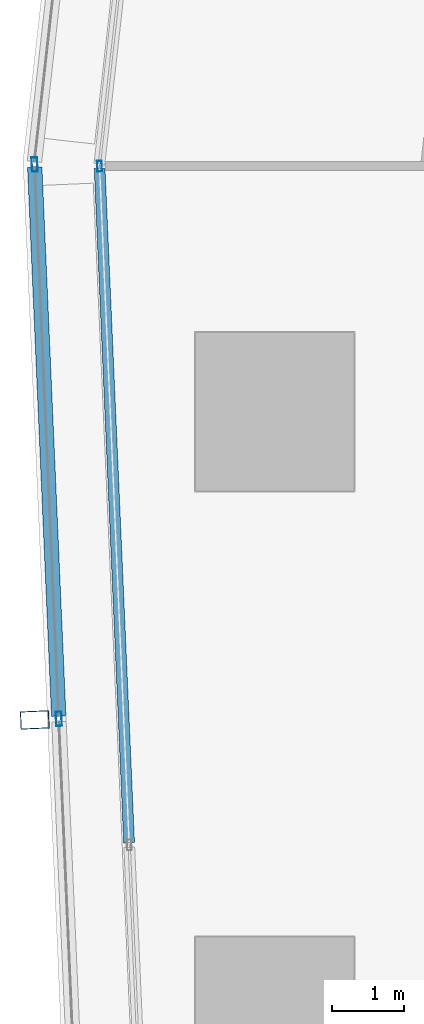
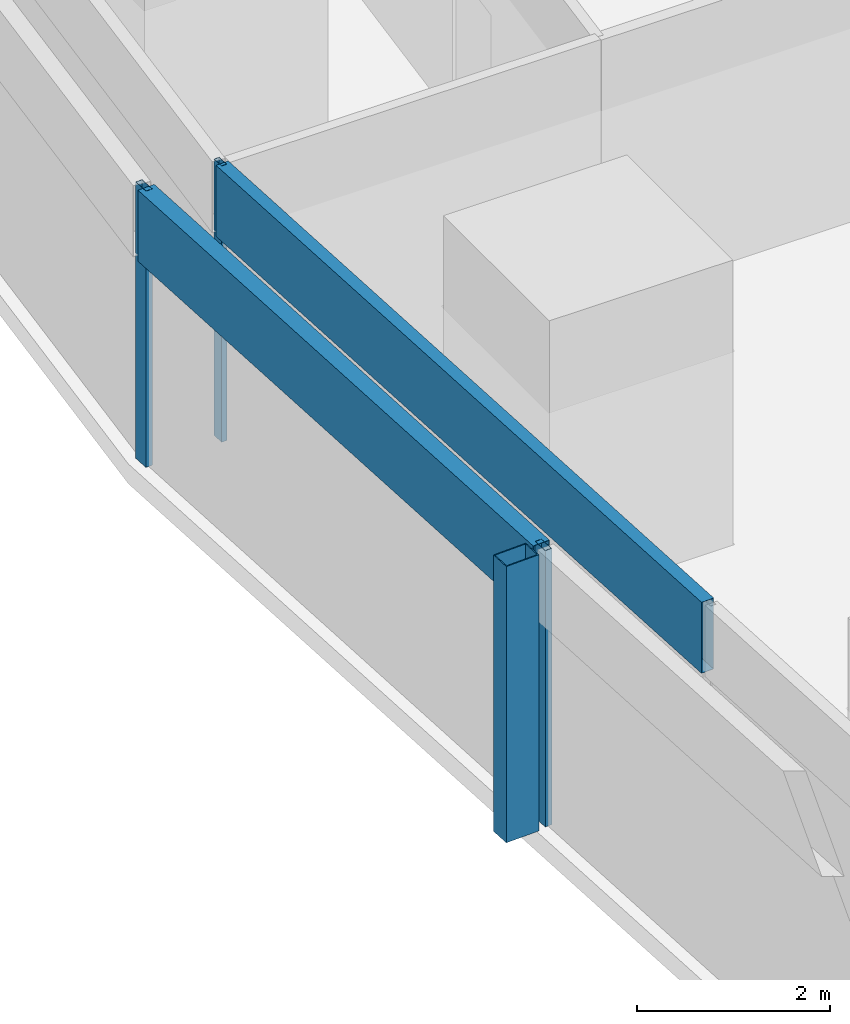
# One storey, part 14 of 45: 6 members, 2 elements without a shape of their own.
"""IFC4 building model written with IfcOpenShell, lengths in metres."""

from ifc_helpers import new_model, si_unit, direction, frame, origin, origin_2d, place, context, subcontext, project, spatial, hollow_rectangle, extrude, material, material_profile, profile_set, type_object, element, aggregate, save


model = new_model("IFC4")

# Units and contexts
model_context = context("Model", 3, precision=1e-05, world=origin(), true_north=direction((0.0, 1.0)))
body_context = subcontext(model_context, "Body", "Model", "MODEL_VIEW")
ifc_project = project(units=[si_unit("LENGTHUNIT", "METRE"), si_unit("AREAUNIT", "SQUARE_METRE"), si_unit("VOLUMEUNIT", "CUBIC_METRE"), si_unit("PLANEANGLEUNIT", "RADIAN"), si_unit("MASSUNIT", "GRAM", prefix="KILO")], contexts=[model_context])

# Site, building, storey
site_placement = place(None, origin())
site = spatial("IfcSite", under=ifc_project, at=site_placement, CompositionType="ELEMENT")
building_placement = place(site_placement, origin())
building = spatial("IfcBuilding", under=site, at=building_placement, Name="Rekha Terrace Tower", CompositionType="ELEMENT")
storey_placement = place(building_placement, frame((0.0, 0.0, 36.64990234375)))
storey = spatial("IfcBuildingStorey", under=building, at=storey_placement, Name="L08", CompositionType="ELEMENT", Elevation=36.64990234375)

# Curtain wall, member
ifc_material_1 = material(Name="Aluminium framing", Category="aluminium")
curtain_wall_type_1 = type_object("IfcCurtainWallType", Name="CW2 double skin outer glazing", PredefinedType="USERDEFINED", material=ifc_material_1)
curtain_wall_1_placement = place(storey_placement, origin())
curtain_wall_1 = element("IfcCurtainWall", 1, at=curtain_wall_1_placement, inside=storey, type_object=curtain_wall_type_1, Name="CW2 double skin outer glazing", ObjectType="DOUBLE SKIN OUTER GLAZING", PredefinedType="USERDEFINED")
ifc_material_2 = material(Name="Steel S355 with fluorocarbon finish", Category="steel")
ifc_material_profile_1 = material_profile(ifc_material_2, hollow_rectangle(XDim=0.25, YDim=0.39990234375, WallThickness=0.012451171875, at=origin_2d()), Name="RHS400x250x12.5")
ifc_profile_set_1 = profile_set([ifc_material_profile_1], Name="Steel S355 with fluorocarbon finish")
member_type_1 = type_object("IfcMemberType", Name="BL1 facade blade RHS 400 x 250", PredefinedType="USERDEFINED", material=ifc_profile_set_1)
member_1_placement = place(storey_placement, frame((5.064208984375, 37.715576171875, 0.0), z_axis=(0.0, 0.0, 1.0), x_axis=(0.04368215933, -0.999045478923, 0.0)))
member_1 = element("IfcMember", 2, at=member_1_placement, type_object=member_type_1, Name="Facade blade", ObjectType="FACADE BLADE", PredefinedType="USERDEFINED", context=body_context, shape_type="SweptSolid", body=[
    extrude(hollow_rectangle(XDim=0.25, YDim=0.39990234375, WallThickness=0.012451171875, at=origin_2d()), origin(), (0.0, 0.0, 1.0), 3.5),
])

# Curtain wall, members
curtain_wall_type_2 = type_object("IfcCurtainWallType", Name="CW1 double skin inner glazing", PredefinedType="USERDEFINED", material=ifc_material_1)
curtain_wall_2_placement = place(storey_placement, origin())
curtain_wall_2 = element("IfcCurtainWall", 3, at=curtain_wall_2_placement, inside=storey, type_object=curtain_wall_type_2, Name="CW1 double skin inner glazing", ObjectType="DOUBLE SKIN INNER GLAZING", PredefinedType="USERDEFINED")
ifc_material_3 = material(Name="Aluminium mullion section", Category="aluminium")
ifc_material_profile_2 = material_profile(ifc_material_3, hollow_rectangle(XDim=0.06494140625, YDim=0.14990234375, WallThickness=0.00390625, at=origin_2d()), Name="AL RHS 65x150")
ifc_profile_set_2 = profile_set([ifc_material_profile_2], Name="Aluminium mullion section")
member_type_2 = type_object("IfcMemberType", Name="CW1 mullion RHS 65 x 150", PredefinedType="MULLION", material=ifc_profile_set_2)
member_2_placement = place(storey_placement, frame((5.964111328125, 45.4111328125, 0.0), z_axis=(0.0, 0.0, 1.0), x_axis=(0.999045462133, 0.043682543337, 0.0)))
member_2 = element("IfcMember", 4, at=member_2_placement, type_object=member_type_2, Name="CW1 mullion 1", PredefinedType="MULLION", context=body_context, shape_type="SweptSolid", body=[
    extrude(hollow_rectangle(XDim=0.06494140625, YDim=0.14990234375, WallThickness=0.00390625, at=origin_2d()), origin(), (0.0, 0.0, 1.0), 3.5),
])
ifc_material_4 = material(Name="Insulated aluminium spandrel box", Category="aluminium")
ifc_material_profile_3 = material_profile(ifc_material_4, hollow_rectangle(XDim=0.14990234375, YDim=0.89990234375, WallThickness=0.0029296875, at=origin_2d()), Name="AL SPANDREL BOX 150x900")
ifc_profile_set_3 = profile_set([ifc_material_profile_3], Name="Insulated aluminium spandrel box")
member_type_3 = type_object("IfcMemberType", Name="CW1 spandrel transom 150 x 900", PredefinedType="USERDEFINED", material=ifc_profile_set_3)
member_3_placement = place(storey_placement, frame((5.96533203125, 45.378662109375, 3.050048828125), z_axis=(0.043689187094, -0.999045171617, 0.0), x_axis=(0.999045171617, 0.043689187094, 0.0)))
member_3 = element("IfcMember", 5, at=member_3_placement, type_object=member_type_3, Name="CW1 spandrel transom 1", ObjectType="TRANSOM", PredefinedType="USERDEFINED", context=body_context, shape_type="SweptSolid", body=[
    extrude(hollow_rectangle(XDim=0.14990234375, YDim=0.89990234375, WallThickness=0.0029296875, at=origin_2d()), origin(), (0.0, 0.0, 1.0), 9.376953125),
])
aggregate(curtain_wall_2, [member_2, member_3])

# Member
ifc_material_profile_4 = material_profile(ifc_material_3, hollow_rectangle(XDim=0.080078125, YDim=0.199951171875, WallThickness=0.00390625, at=origin_2d()), Name="AL RHS 80x200")
ifc_profile_set_4 = profile_set([ifc_material_profile_4], Name="Aluminium mullion section")
member_type_4 = type_object("IfcMemberType", Name="CW2 mullion RHS 80 x 200", PredefinedType="MULLION", material=ifc_profile_set_4)
member_4_placement = place(storey_placement, frame((5.062255859375, 45.4345703125, 0.0), z_axis=(0.0, 0.0, 1.0), x_axis=(0.999045462131, 0.043682543372, 0.0)))
member_4 = element("IfcMember", 6, at=member_4_placement, type_object=member_type_4, Name="CW2 mullion 1", PredefinedType="MULLION", context=body_context, shape_type="SweptSolid", body=[
    extrude(hollow_rectangle(XDim=0.080078125, YDim=0.199951171875, WallThickness=0.00390625, at=origin_2d()), origin(), (0.0, 0.0, 1.0), 3.5),
])

member_5_placement = place(storey_placement, frame((5.39892578125, 37.730224609375, 0.0), z_axis=(0.0, 0.0, 1.0), x_axis=(0.999045462131, 0.043682543372, 0.0)))
member_5 = element("IfcMember", 7, at=member_5_placement, type_object=member_type_4, Name="CW2 mullion 2", PredefinedType="MULLION", context=body_context, shape_type="SweptSolid", body=[
    extrude(hollow_rectangle(XDim=0.080078125, YDim=0.199951171875, WallThickness=0.00390625, at=origin_2d()), origin(), (0.0, 0.0, 1.0), 3.5),
])

ifc_material_profile_5 = material_profile(ifc_material_4, hollow_rectangle(XDim=0.199951171875, YDim=0.89990234375, WallThickness=0.0029296875, at=origin_2d()), Name="AL SPANDREL BOX 200x900")
ifc_profile_set_5 = profile_set([ifc_material_profile_5], Name="Insulated aluminium spandrel box")
member_type_5 = type_object("IfcMemberType", Name="CW2 spandrel transom 200 x 900", PredefinedType="USERDEFINED", material=ifc_profile_set_5)
member_6_placement = place(storey_placement, frame((5.06396484375, 45.39453125, 3.050048828125), z_axis=(0.043666283256, -0.99904617296, 0.0), x_axis=(0.99904617296, 0.043666283256, 0.0)))
member_6 = element("IfcMember", 8, at=member_6_placement, type_object=member_type_5, Name="CW2 spandrel transom 1", ObjectType="TRANSOM", PredefinedType="USERDEFINED", context=body_context, shape_type="SweptSolid", body=[
    extrude(hollow_rectangle(XDim=0.199951171875, YDim=0.89990234375, WallThickness=0.0029296875, at=origin_2d()), origin(), (0.0, 0.0, 1.0), 7.6318359375),
])

aggregate(curtain_wall_1, [member_4, member_5, member_6, member_1])

save(model, "model.ifc")
